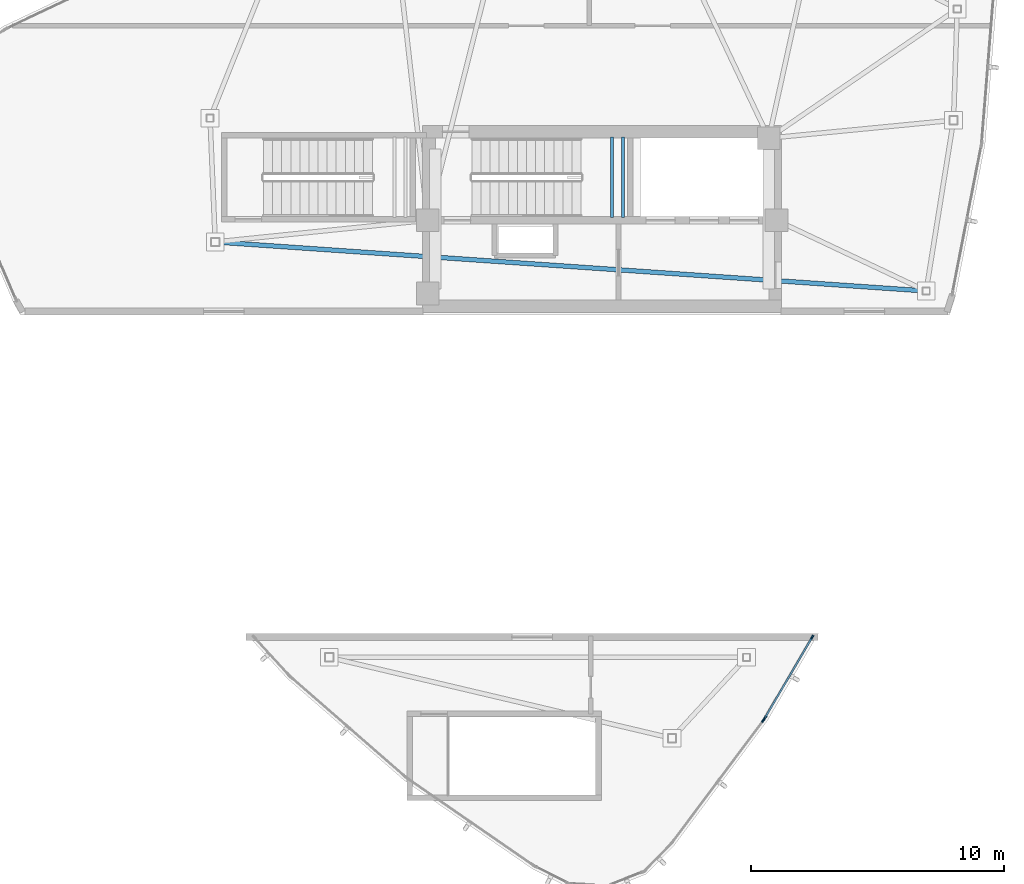
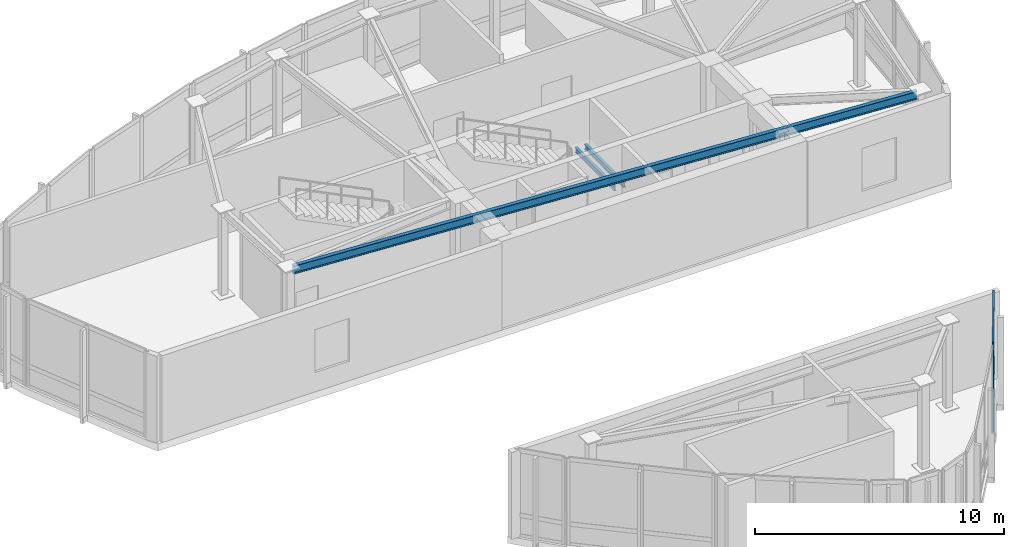
# One storey, part 4 of 15: 6 members, 3 beams, 2 elements without a shape of their own.
"""IFC4 building model written with IfcOpenShell, lengths in metres."""

from ifc_helpers import new_model, si_unit, direction, frame, origin, origin_2d, place, context, subcontext, project, spatial, hollow_rectangle, i_section, extrude, source, transform, mapped, material, layer, layer_set, material_profile, profile_set, type_object, type_shapes, element, aggregate, save


model = new_model("IFC4")

# Units and contexts
model_context = context("Model", 3, precision=1e-05, world=origin(), true_north=direction((0.0, 1.0)))
body_context = subcontext(model_context, "Body", "Model", "MODEL_VIEW")
ifc_project = project(units=[si_unit("LENGTHUNIT", "METRE"), si_unit("AREAUNIT", "SQUARE_METRE"), si_unit("VOLUMEUNIT", "CUBIC_METRE"), si_unit("PLANEANGLEUNIT", "RADIAN"), si_unit("MASSUNIT", "GRAM", prefix="KILO")], contexts=[model_context])

# Site, building, storey
site_placement = place(None, origin())
site = spatial("IfcSite", under=ifc_project, at=site_placement, CompositionType="ELEMENT")
building_placement = place(site_placement, origin())
building = spatial("IfcBuilding", under=site, at=building_placement, Name="Tavelor Broadcast Tower", CompositionType="ELEMENT")
storey_placement = place(building_placement, frame((0.0, 0.0, 341.300048828125)))
storey = spatial("IfcBuildingStorey", under=building, at=storey_placement, Name="L81", CompositionType="ELEMENT", Elevation=341.300048828125)

# Beams
ifc_material_1 = material(Name="Steel S355", Category="steel")
ifc_material_profile_1 = material_profile(ifc_material_1, i_section(OverallWidth=0.179931640625, OverallDepth=0.39990234375, WebThickness=0.008544921875, FlangeThickness=0.013427734375, at=origin_2d()), Name="IPE 400")
ifc_profile_set_1 = profile_set([ifc_material_profile_1], Name="Steel S355")
beam_type_1 = type_object("IfcBeamType", Name="Crown Ring Spandrel Beam IPE400", PredefinedType="SPANDREL", material=ifc_profile_set_1)
beam_placement = place(storey_placement, frame((34.868896484375, 47.07763671875, 4.050048828125), z_axis=(0.997631178399, -0.068789765859, 0.0), x_axis=(0.068789765859, 0.997631178399, 0.0)))
element("IfcBeam", 1, at=beam_placement, inside=storey, type_object=beam_type_1, Name="L81 Crown Peak A Ring Spandrel 3", PredefinedType="SPANDREL", context=body_context, shape_type="SweptSolid", body=[
    extrude(i_section(OverallWidth=0.179931640625, OverallDepth=0.39990234375, WebThickness=0.008544921875, FlangeThickness=0.013427734375, at=origin_2d()), origin(), (0.0, 0.0, 1.0), 27.870849609375),
])
ifc_material_profile_2 = material_profile(ifc_material_1, i_section(OverallWidth=0.1201171875, OverallDepth=0.239990234375, WebThickness=0.006103515625, FlangeThickness=0.009765625, at=origin_2d()), Name="IPE 240")
ifc_profile_set_2 = profile_set([ifc_material_profile_2], Name="Steel S355")
beam_type_2 = type_object("IfcBeamType", Name="Stairwell Landing Support Trimmer Beam IPE240", PredefinedType="BEAM", material=ifc_profile_set_2)
for number, where, z_axis, x_axis, name in (
    (2, (50.385009765625, 48.06005859375, 1.98486328125), (0.0, 1.0, 0.0), (-1.0, 0.0, 0.0), "L81 Stair Landing Support Beam 207"),
    (3, (50.824951171875, 48.06005859375, 1.98486328125), (0.0, 1.0, 0.0), (-1.0, 0.0, 0.0), "L81 Stair Landing Support Beam 208"),
):
    element("IfcBeam", number, at=place(storey_placement, frame(where, z_axis=z_axis, x_axis=x_axis)), inside=storey, type_object=beam_type_2, Name=name, PredefinedType="BEAM", context=body_context, shape_type="SweptSolid", body=[
        extrude(i_section(OverallWidth=0.1201171875, OverallDepth=0.239990234375, WebThickness=0.006103515625, FlangeThickness=0.009765625, at=origin_2d()), origin(), (0.0, 0.0, 1.0), 3.179931640625),
    ])

# Curtain wall, member
ifc_material_2 = material(Name="Architectural Anodized Aluminium", Category="aluminium")
ifc_layer = layer(ifc_material_2, 0.2099609375)
ifc_layer_set = layer_set([ifc_layer], Name="Architectural Anodized Aluminium")
curtain_wall_type = type_object("IfcCurtainWallType", Name="Split-Crown Beacon Curtain Wall CW06", PredefinedType="NOTDEFINED", material=ifc_layer_set)
curtain_wall_1_placement = place(storey_placement, origin())
curtain_wall_1 = element("IfcCurtainWall", 4, at=curtain_wall_1_placement, inside=storey, type_object=curtain_wall_type, Name="L81 Curtain Wall CW06 Run 953", PredefinedType="NOTDEFINED")
ifc_material_profile_3 = material_profile(ifc_material_2, hollow_rectangle(XDim=0.072021484375, YDim=0.2099609375, WallThickness=0.02197265625, at=origin_2d()), Name="RHS 72x210x22")
ifc_profile_set_3 = profile_set([ifc_material_profile_3], Name="Architectural Anodized Aluminium")
member_type_1 = type_object("IfcMemberType", Name="CW06 Extruded Aluminium Mullion 72x210", PredefinedType="MULLION", material=ifc_profile_set_3)
shared_shape_1 = source(origin(), body_context, "Body", "SweptSolid", [
    extrude(hollow_rectangle(XDim=0.072021484375, YDim=0.2099609375, WallThickness=0.02197265625, at=origin_2d()), origin(), (0.0, 0.0, 1.0), 4.25),
])
type_shapes(member_type_1, [shared_shape_1])
member_1_placement = place(storey_placement, frame((56.390869140625, 28.168701171875, 0.0), z_axis=(0.0, 0.0, 1.0), x_axis=(-0.800933607815, 0.598753167735, 0.0)))
member_1 = element("IfcMember", 5, at=member_1_placement, type_object=member_type_1, Name="CW06 mullion 3", PredefinedType="MULLION", context=body_context, shape_type="MappedRepresentation", body=[
    mapped(shared_shape_1, transform((0.0, 0.0, 0.0), scale=1.0)),
])
aggregate(curtain_wall_1, [member_1])

# Curtain wall, members
curtain_wall_2_placement = place(storey_placement, origin())
curtain_wall_2 = element("IfcCurtainWall", 6, at=curtain_wall_2_placement, inside=storey, type_object=curtain_wall_type, Name="L81 Curtain Wall CW06 Run 954", PredefinedType="NOTDEFINED")
member_2_placement = place(storey_placement, frame((56.447021484375, 28.253662109375, 0.0), z_axis=(0.0, 0.0, 1.0), x_axis=(-0.862963727514, 0.50526587555, 0.0)))
member_2 = element("IfcMember", 7, at=member_2_placement, type_object=member_type_1, Name="CW06 mullion 1", PredefinedType="MULLION", context=body_context, shape_type="MappedRepresentation", body=[
    mapped(shared_shape_1, transform((0.0, 0.0, 0.0), scale=1.0)),
])
member_3_placement = place(storey_placement, frame((58.30615234375, 31.428955078125, 0.0), z_axis=(0.0, 0.0, 1.0), x_axis=(-0.862963727514, 0.50526587555, 0.0)))
member_3 = element("IfcMember", 8, at=member_3_placement, type_object=member_type_1, Name="CW06 mullion 2", PredefinedType="MULLION", context=body_context, shape_type="MappedRepresentation", body=[
    mapped(shared_shape_1, transform((0.0, 0.0, 0.0), scale=1.0)),
])
ifc_material_profile_4 = material_profile(ifc_material_2, hollow_rectangle(XDim=0.072021484375, YDim=0.2099609375, WallThickness=0.02197265625, at=origin_2d()), Name="RHS 72x210x22")
ifc_profile_set_4 = profile_set([ifc_material_profile_4], Name="Architectural Anodized Aluminium")
member_type_2 = type_object("IfcMemberType", Name="CW06 Extruded Aluminium Transom 72x210", PredefinedType="USERDEFINED", material=ifc_profile_set_4)
shared_shape_2 = source(origin(), body_context, "Body", "SweptSolid", [
    extrude(hollow_rectangle(XDim=0.072021484375, YDim=0.2099609375, WallThickness=0.02197265625, at=origin_2d()), origin(), (0.0, 0.0, 1.0), 3.607666015625),
])
type_shapes(member_type_2, [shared_shape_2])
member_4_placement = place(storey_placement, frame((56.46533203125, 28.28466796875, 0.035888671875), z_axis=(0.505250501409, 0.8629727289, 0.0), x_axis=(-0.8629727289, 0.505250501409, 0.0)))
member_4 = element("IfcMember", 9, at=member_4_placement, type_object=member_type_2, Name="CW06 transom 1.1", ObjectType="TRANSOM", PredefinedType="USERDEFINED", context=body_context, shape_type="MappedRepresentation", body=[
    mapped(shared_shape_2, transform((0.0, 0.0, 0.0), scale=1.0)),
])
member_5_placement = place(storey_placement, frame((56.46533203125, 28.28466796875, 1.050048828125), z_axis=(0.505250501409, 0.8629727289, 0.0), x_axis=(-0.8629727289, 0.505250501409, 0.0)))
member_5 = element("IfcMember", 10, at=member_5_placement, type_object=member_type_2, Name="CW06 transom 1.2", ObjectType="TRANSOM", PredefinedType="USERDEFINED", context=body_context, shape_type="MappedRepresentation", body=[
    mapped(shared_shape_2, transform((0.0, 0.0, 0.0), scale=1.0)),
])
member_6_placement = place(storey_placement, frame((56.46533203125, 28.28466796875, 4.2138671875), z_axis=(0.505250501409, 0.8629727289, 0.0), x_axis=(-0.8629727289, 0.505250501409, 0.0)))
member_6 = element("IfcMember", 11, at=member_6_placement, type_object=member_type_2, Name="CW06 transom 1.3", ObjectType="TRANSOM", PredefinedType="USERDEFINED", context=body_context, shape_type="MappedRepresentation", body=[
    mapped(shared_shape_2, transform((0.0, 0.0, 0.0), scale=1.0)),
])
aggregate(curtain_wall_2, [member_2, member_3, member_4, member_5, member_6])

save(model, "model.ifc")
